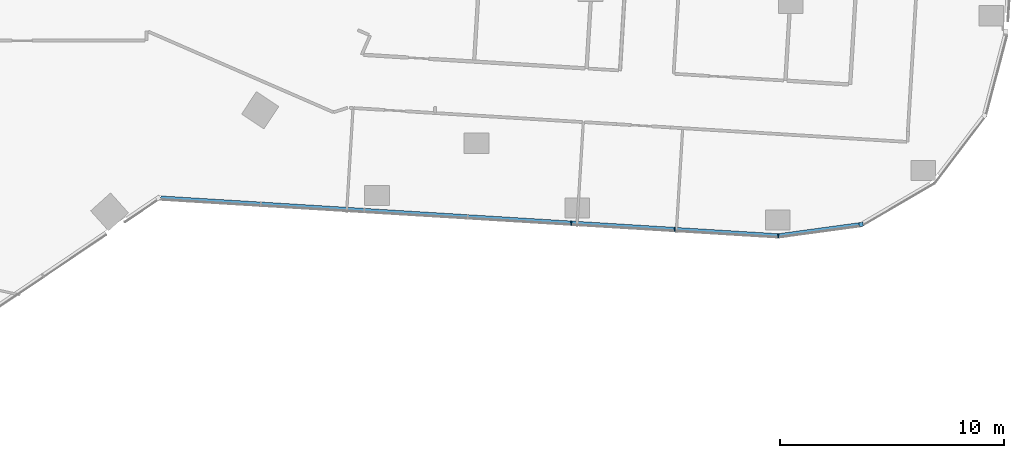
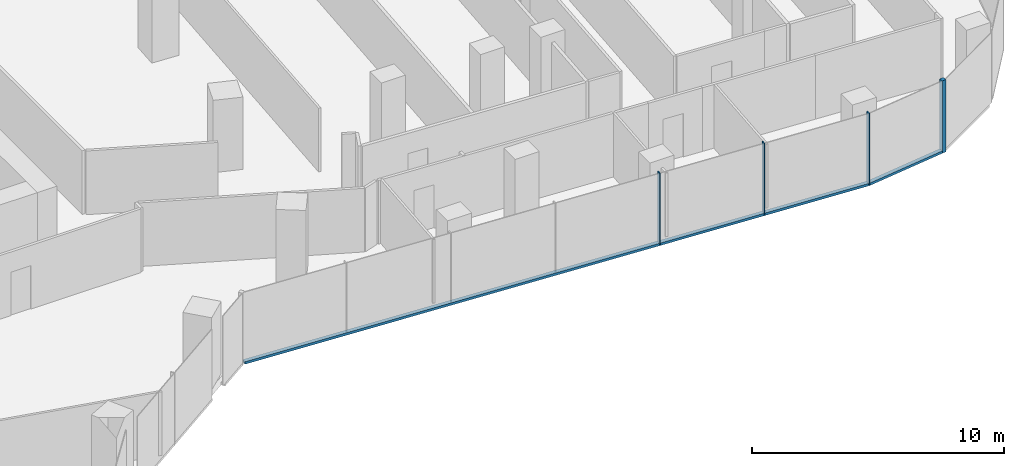
# One storey, part 8 of 32: 6 members, 2 elements without a shape of their own.
"""IFC4 building model written with IfcOpenShell, lengths in metres."""

from ifc_helpers import new_model, si_unit, direction, frame, origin, origin_2d, place, context, subcontext, project, spatial, rectangle, extrude, material, material_profile, profile_set, type_object, element, aggregate, save


model = new_model("IFC4")

# Units and contexts
model_context = context("Model", 3, precision=1e-05, world=origin(), true_north=direction((0.0, 1.0)))
body_context = subcontext(model_context, "Body", "Model", "MODEL_VIEW")
ifc_project = project(units=[si_unit("LENGTHUNIT", "METRE"), si_unit("AREAUNIT", "SQUARE_METRE"), si_unit("VOLUMEUNIT", "CUBIC_METRE"), si_unit("PLANEANGLEUNIT", "RADIAN"), si_unit("MASSUNIT", "GRAM", prefix="KILO")], contexts=[model_context])

# Site, building, storey
site_placement = place(None, origin())
site = spatial("IfcSite", under=ifc_project, at=site_placement, CompositionType="ELEMENT")
building_placement = place(site_placement, origin())
building = spatial("IfcBuilding", under=site, at=building_placement, Name="Orlundy Tower", CompositionType="ELEMENT")
storey_placement = place(building_placement, frame((0.0, 0.0, 149.10009765625)))
storey = spatial("IfcBuildingStorey", under=building, at=storey_placement, Name="L38", CompositionType="ELEMENT", Elevation=149.10009765625)

# Curtain wall, member
ifc_material_1 = material(Name="Aluminium bronze anodised", Category="aluminium")
curtain_wall_type = type_object("IfcCurtainWallType", Name="CW1 wall", PredefinedType="NOTDEFINED", material=ifc_material_1)
curtain_wall_1_placement = place(storey_placement, origin())
curtain_wall_1 = element("IfcCurtainWall", 1, at=curtain_wall_1_placement, inside=storey, type_object=curtain_wall_type, Name="CW1 run 027", PredefinedType="NOTDEFINED")
ifc_material_2 = material(Name="Aluminium bronze anodised", Category="aluminium")
ifc_material_profile_1 = material_profile(ifc_material_2, rectangle(XDim=0.179931640625, YDim=0.179931640625, at=origin_2d()), Name="CW1 corner post 180x180")
ifc_profile_set_1 = profile_set([ifc_material_profile_1], Name="Aluminium bronze anodised")
member_type_1 = type_object("IfcMemberType", Name="CW1 corner post 180x180", PredefinedType="MULLION", material=ifc_profile_set_1)
member_1_placement = place(storey_placement, frame((53.386962890625, -22.662841796875, -0.400146484375), z_axis=(0.0, 0.0, 1.0), x_axis=(0.134884472094, -0.990861331967, 0.0)))
member_1 = element("IfcMember", 2, at=member_1_placement, type_object=member_type_1, Name="CW1 mullion 68", PredefinedType="MULLION", context=body_context, shape_type="SweptSolid", body=[
    extrude(rectangle(XDim=0.179931640625, YDim=0.179931640625, at=origin_2d()), origin(), (0.0, 0.0, 1.0), 3.5),
])

# Curtain wall, members
curtain_wall_2_placement = place(storey_placement, origin())
curtain_wall_2 = element("IfcCurtainWall", 3, at=curtain_wall_2_placement, inside=storey, type_object=curtain_wall_type, Name="CW1 run 00", PredefinedType="NOTDEFINED")
ifc_material_3 = material(Name="Aluminium bronze anodised", Category="aluminium")
ifc_material_profile_2 = material_profile(ifc_material_3, rectangle(XDim=0.179931640625, YDim=0.050048828125, at=origin_2d()), Name="CW1 mullion 50x180")
ifc_profile_set_2 = profile_set([ifc_material_profile_2], Name="Aluminium bronze anodised")
member_type_2 = type_object("IfcMemberType", Name="CW1 mullion 50x180", PredefinedType="MULLION", material=ifc_profile_set_2)
member_2_placement = place(storey_placement, frame((49.687255859375, -23.166259765625, -0.400146484375), z_axis=(0.0, 0.0, 1.0), x_axis=(0.037099562394, -0.99931157427, 0.0)))
member_2 = element("IfcMember", 4, at=member_2_placement, type_object=member_type_2, Name="CW1 mullion 1", PredefinedType="MULLION", context=body_context, shape_type="SweptSolid", body=[
    extrude(rectangle(XDim=0.179931640625, YDim=0.050048828125, at=origin_2d()), origin(), (0.0, 0.0, 1.0), 3.5),
])
member_3_placement = place(storey_placement, frame((45.056396484375, -22.883056640625, -0.400146484375), z_axis=(0.0, 0.0, 1.0), x_axis=(-0.061042738341, -0.998135153221, 0.0)))
member_3 = element("IfcMember", 5, at=member_3_placement, type_object=member_type_2, Name="CW1 mullion 2", PredefinedType="MULLION", context=body_context, shape_type="SweptSolid", body=[
    extrude(rectangle(XDim=0.179931640625, YDim=0.050048828125, at=origin_2d()), origin(), (0.0, 0.0, 1.0), 3.5),
])
member_4_placement = place(storey_placement, frame((40.4345703125, -22.6005859375, -0.400146484375), z_axis=(0.0, 0.0, 1.0), x_axis=(-0.061042738341, -0.998135153221, 0.0)))
member_4 = element("IfcMember", 6, at=member_4_placement, type_object=member_type_2, Name="CW1 mullion 3", PredefinedType="MULLION", context=body_context, shape_type="SweptSolid", body=[
    extrude(rectangle(XDim=0.179931640625, YDim=0.050048828125, at=origin_2d()), origin(), (0.0, 0.0, 1.0), 3.5),
])
ifc_material_4 = material(Name="Aluminium bronze anodised", Category="aluminium")
ifc_material_profile_3 = material_profile(ifc_material_4, rectangle(XDim=0.179931640625, YDim=0.1201171875, at=origin_2d()), Name="CW1 transom 180x120")
ifc_profile_set_3 = profile_set([ifc_material_profile_3], Name="Aluminium bronze anodised")
member_type_3 = type_object("IfcMemberType", Name="CW1 transom 180x120", PredefinedType="USERDEFINED", material=ifc_profile_set_3)
member_5_placement = place(storey_placement, frame((49.662353515625, -23.164794921875, -0.340087890625), z_axis=(-0.998135014108, 0.061045012994, 0.0), x_axis=(-0.061045012994, -0.998135014108, 0.0)))
member_5 = element("IfcMember", 7, at=member_5_placement, type_object=member_type_3, Name="CW1 transom", ObjectType="TRANSOM", PredefinedType="USERDEFINED", context=body_context, shape_type="SweptSolid", body=[
    extrude(rectangle(XDim=0.179931640625, YDim=0.1201171875, at=origin_2d()), origin(), (0.0, 0.0, 1.0), 27.62353515625),
])
aggregate(curtain_wall_2, [member_2, member_3, member_4, member_5])

# Member
member_6_placement = place(storey_placement, frame((53.297607421875, -22.6748046875, -0.340087890625), z_axis=(-0.990853965346, -0.134938576242, 0.0), x_axis=(0.134938576242, -0.990853965346, 0.0)))
member_6 = element("IfcMember", 8, at=member_6_placement, type_object=member_type_3, Name="CW1 transom", ObjectType="TRANSOM", PredefinedType="USERDEFINED", context=body_context, shape_type="SweptSolid", body=[
    extrude(rectangle(XDim=0.179931640625, YDim=0.1201171875, at=origin_2d()), origin(), (0.0, 0.0, 1.0), 3.61865234375),
])

aggregate(curtain_wall_1, [member_1, member_6])

save(model, "model.ifc")
